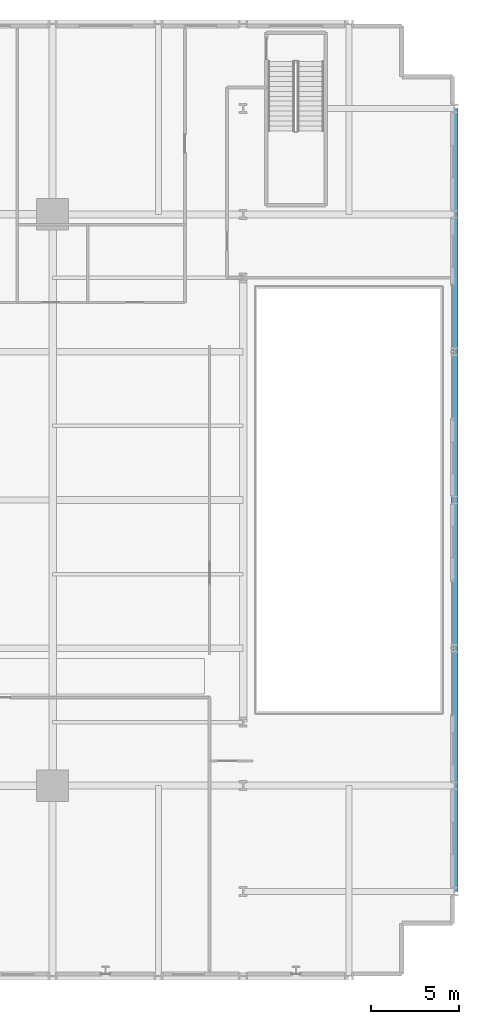
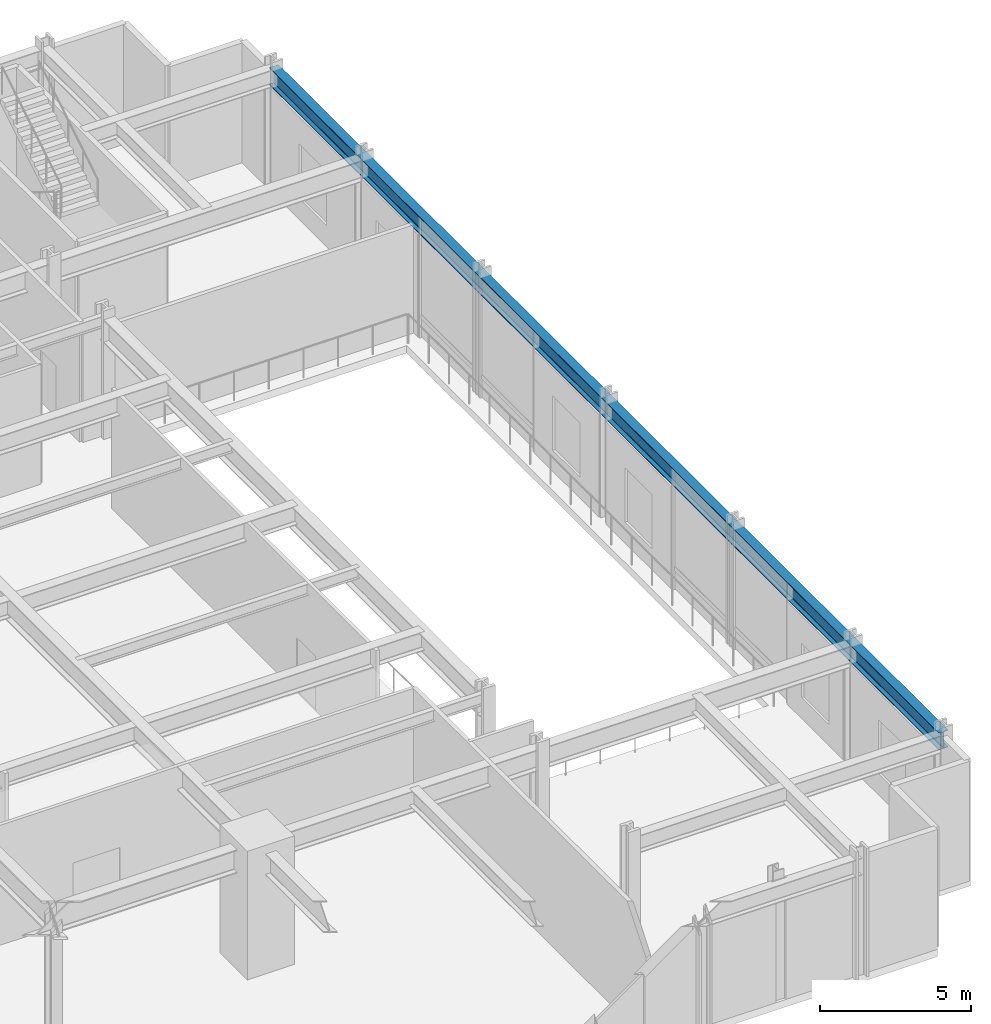
# One storey, part 8 of 20: 1 beam.
"""IFC4 building model written with IfcOpenShell, lengths in metres."""

import ifcopenshell
import ifcopenshell.guid

model = None  # the IFC model being written
_history = None  # IfcOwnerHistory: only IFC2X3 demands one
_inside = {}  # id of a spatial element -> (the spatial element, [elements in it])
_under = {}  # id of a project, library or spatial element -> (it, [spatial elements below it])
_declared = {}  # id of a project -> (the project, [libraries it declares])
_typed = {}  # id of a type object -> (the type object, [elements of that type])
_made_of = {}  # id of a material, layer set ... -> (it, [elements and type objects made of it])


def new_model(schema):
    """Start an empty IFC model of exactly this schema.

    Asked for "IFC4X3", IfcOpenShell would pick the latest addendum, in which some entities
    have other attributes; the version numbers below select the first issue.
    IFC2X3 requires an IfcOwnerHistory on every rooted entity: one is made here for all.
    """
    global model, _history
    if schema == "IFC4X3":
        model = ifcopenshell.file(schema_version=(4, 3, 0, 0))
    else:
        model = ifcopenshell.file(schema=schema)
    _inside.clear()
    _under.clear()
    _declared.clear()
    _typed.clear()
    _made_of.clear()
    _history = None
    if model.schema == "IFC2X3":
        org = make("IfcOrganization", Name="unknown")
        user = make(
            "IfcPersonAndOrganization",
            ThePerson=make("IfcPerson", FamilyName="unknown"),
            TheOrganization=org,
        )
        app = make(
            "IfcApplication",
            ApplicationDeveloper=org,
            Version="unknown",
            ApplicationFullName="unknown",
            ApplicationIdentifier="unknown",
        )
        _history = make(
            "IfcOwnerHistory",
            OwningUser=user,
            OwningApplication=app,
            ChangeAction="ADDED",
            CreationDate=0,
        )
    return model


def make(cls, **values):
    """One entity of the class cls with the attributes given. An attribute that is None is left unset."""
    return model.create_entity(
        cls, **{name: value for name, value in values.items() if value is not None}
    )


def rooted(cls, **values):
    """An entity with a GlobalId (a new one), such as an element, a storey or a relation."""
    return make(cls, GlobalId=ifcopenshell.guid.new(), OwnerHistory=_history, **values)


def si_unit(unit_type, name, prefix=None):
    """IfcSIUnit, for example si_unit("LENGTHUNIT", "METRE", prefix="MILLI")."""
    return make("IfcSIUnit", UnitType=unit_type, Prefix=prefix, Name=name)


def assignment(units):
    """IfcUnitAssignment: the units of a project."""
    return None if units is None else make("IfcUnitAssignment", Units=units)


def point(xyz):
    """IfcCartesianPoint."""
    return None if xyz is None else make("IfcCartesianPoint", Coordinates=xyz)


def direction(xyz):
    """IfcDirection."""
    return None if xyz is None else make("IfcDirection", DirectionRatios=xyz)


def frame(location, z_axis=None, x_axis=None):
    """IfcAxis2Placement3D, a coordinate frame: its origin and axes. An axis left out is left unset."""
    return make(
        "IfcAxis2Placement3D",
        Location=point(location),
        Axis=direction(z_axis),
        RefDirection=direction(x_axis),
    )


def frame_2d(location, x_axis=None):
    """IfcAxis2Placement2D, a coordinate frame in the plane: its origin and x axis."""
    return make(
        "IfcAxis2Placement2D", Location=point(location), RefDirection=direction(x_axis)
    )


def origin():
    """The frame at (0, 0, 0) with its axes left unset."""
    return frame((0.0, 0.0, 0.0))


def origin_2d():
    """The frame at (0, 0) in the plane with its x axis left unset."""
    return frame_2d((0.0, 0.0))


def place(relative_to, where):
    """IfcLocalPlacement: puts the frame where relative to a parent placement (None: the world)."""
    return make(
        "IfcLocalPlacement", PlacementRelTo=relative_to, RelativePlacement=where
    )


def context(
    kind, dimensions, precision=None, world=None, true_north=None, identifier=None
):
    """IfcGeometricRepresentationContext, for example the 3D "Model" context."""
    return make(
        "IfcGeometricRepresentationContext",
        ContextIdentifier=identifier,
        ContextType=kind,
        CoordinateSpaceDimension=dimensions,
        Precision=precision,
        WorldCoordinateSystem=world,
        TrueNorth=true_north,
    )


def subcontext(parent, identifier, kind, view, scale=None):
    """IfcGeometricRepresentationSubContext, for example "Body" below "Model"."""
    return make(
        "IfcGeometricRepresentationSubContext",
        ContextIdentifier=identifier,
        ContextType=kind,
        ParentContext=parent,
        TargetScale=scale,
        TargetView=view,
    )


def project(units=None, contexts=None):
    """IfcProject with its units and contexts."""
    return rooted(
        "IfcProject",
        Name="project",
        RepresentationContexts=contexts,
        UnitsInContext=assignment(units),
    )


def spatial(cls, under=None, at=None, **own):
    """A site, building, storey or space (cls), placed at a placement, below another one or the project."""
    s = rooted(cls, ObjectPlacement=at, **own)
    if under is not None:
        _under.setdefault(under.id(), (under, []))[1].append(s)
    return s


def profile(cls, at=None, kind="AREA", **sizes):
    """A parametric profile (cls). Its sizes go by their IFC names, for example OverallWidth=200.0."""
    return make(cls, ProfileType=kind, Position=at, **sizes)


def i_section(**sizes):
    """IfcIShapeProfileDef."""
    return profile("IfcIShapeProfileDef", **sizes)


def extrude(swept, where, along, depth):
    """IfcExtrudedAreaSolid: the profile swept, set in the frame where, extruded along a direction by depth."""
    return make(
        "IfcExtrudedAreaSolid",
        SweptArea=swept,
        Position=where,
        ExtrudedDirection=direction(along),
        Depth=depth,
    )


def shape(context_of_items, identifier, shape_type, items):
    """IfcShapeRepresentation: the items that make up one representation, for example the "Body"."""
    return make(
        "IfcShapeRepresentation",
        ContextOfItems=context_of_items,
        RepresentationIdentifier=identifier,
        RepresentationType=shape_type,
        Items=items,
    )


def material(Name=None, Category=None):
    """IfcMaterial."""
    return make("IfcMaterial", Name=Name, Category=Category)


def material_profile(
    of_material, cross_section, Name=None, Category=None, Priority=None
):
    """IfcMaterialProfile: a cross section and its material."""
    return make(
        "IfcMaterialProfile",
        Name=Name,
        Material=of_material,
        Profile=cross_section,
        Priority=Priority,
        Category=Category,
    )


def profile_set(profiles, Name=None, composite=None):
    """IfcMaterialProfileSet."""
    return make(
        "IfcMaterialProfileSet",
        Name=Name,
        MaterialProfiles=profiles,
        CompositeProfile=composite,
    )


def made_of(thing, what):
    """Note that an element or type object is made of a material, layer set ...; save() writes the relation."""
    if what is not None:
        _made_of.setdefault(what.id(), (what, []))[1].append(thing)
    return thing


def type_object(cls, material=None, **own):
    """A type object (cls), such as IfcWallType, which elements share."""
    return made_of(rooted(cls, **own), material)


def element(
    cls,
    number,
    at=None,
    inside=None,
    cuts=None,
    type_object=None,
    material=None,
    context=None,
    identifier="Body",
    shape_type=None,
    held_by="IfcProductDefinitionShape",
    body=None,
    shapes=None,
    **own,
):
    """One element of the class cls, such as IfcWall. Its Tag is "e" and its number.

    at: its placement. inside: the storey or other place that contains it. cuts: it is an
    opening in that element (IfcRelVoidsElement). A single representation is given by context,
    identifier, shape_type and body (its items); several are given by shapes. held_by: the class
    of the entity that holds the representations. save() writes the other relations.
    """
    e = rooted(cls, Tag="e%d" % number, ObjectPlacement=at, **own)
    if body is not None:
        shapes = [shape(context, identifier, shape_type, body)]
    if shapes is not None:
        e.Representation = make(held_by, Representations=shapes)
    if inside is not None:
        _inside.setdefault(inside.id(), (inside, []))[1].append(e)
    if cuts is not None:
        rooted(
            "IfcRelVoidsElement", RelatingBuildingElement=cuts, RelatedOpeningElement=e
        )
    if type_object is not None:
        _typed.setdefault(type_object.id(), (type_object, []))[1].append(e)
    return made_of(e, material)


def aggregate(whole, parts):
    """IfcRelAggregates: a whole, such as a stair, and the parts it consists of."""
    return rooted("IfcRelAggregates", RelatingObject=whole, RelatedObjects=parts)


def save(model, path):
    """Write the relations noted so far, then the file.

    IfcRelAggregates (storeys below a building ...), IfcRelContainedInSpatialStructure (elements
    in a storey), IfcRelDefinesByType, IfcRelAssociatesMaterial and IfcRelDeclares: one each for
    every whole, place, type object, material and project.
    """
    for whole, parts in _under.values():
        aggregate(whole, parts)
    for where, things in _inside.values():
        rooted(
            "IfcRelContainedInSpatialStructure",
            RelatedElements=things,
            RelatingStructure=where,
        )
    for kind, things in _typed.values():
        rooted("IfcRelDefinesByType", RelatedObjects=things, RelatingType=kind)
    for what, things in _made_of.values():
        rooted("IfcRelAssociatesMaterial", RelatedObjects=things, RelatingMaterial=what)
    for by, libraries in _declared.values():
        rooted("IfcRelDeclares", RelatingContext=by, RelatedDefinitions=libraries)
    model.write(path)


model = new_model("IFC4")

# Units and contexts
model_context = context("Model", 3, precision=1e-05, world=origin(), true_north=direction((0.0, 1.0)))
body_context = subcontext(model_context, "Body", "Model", "MODEL_VIEW")
ifc_project = project(units=[si_unit("LENGTHUNIT", "METRE"), si_unit("AREAUNIT", "SQUARE_METRE"), si_unit("VOLUMEUNIT", "CUBIC_METRE"), si_unit("PLANEANGLEUNIT", "RADIAN"), si_unit("MASSUNIT", "GRAM", prefix="KILO")], contexts=[model_context])

# Site, building, storey
site_placement = place(None, origin())
site = spatial("IfcSite", under=ifc_project, at=site_placement, CompositionType="ELEMENT")
building_placement = place(site_placement, origin())
building = spatial("IfcBuilding", under=site, at=building_placement, Name="Drelvath Grand Hotel", CompositionType="ELEMENT")
storey_placement = place(building_placement, frame((0.0, 0.0, 5.60009765625)))
storey = spatial("IfcBuildingStorey", under=building, at=storey_placement, Name="L01", CompositionType="ELEMENT", Elevation=5.60009765625)

# Beam
ifc_material = material(Name="Steel ASTM A992 Gr 50", Category="steel")
ifc_material_profile = material_profile(ifc_material, i_section(OverallWidth=0.354736328125, OverallDepth=0.695556640625, WebThickness=0.015380859375, FlangeThickness=0.025146484375, FilletRadius=0.02392578125, at=origin_2d()), Name="W27X146")
ifc_profile_set = profile_set([ifc_material_profile], Name="Steel ASTM A992 Gr 50")
beam_type = type_object("IfcBeamType", Name="Perimeter Spandrel Beam W27X146", PredefinedType="SPANDREL", material=ifc_profile_set)
beam_placement = place(storey_placement, frame((39.0, 4.800048828125, 4.502197265625), z_axis=(0.0, 1.0, 0.0), x_axis=(-1.0, 0.0, 0.0)))
element("IfcBeam", 1, at=beam_placement, inside=storey, type_object=beam_type, Name="L01 Podium Perimeter Spandrel SPE1", PredefinedType="SPANDREL", context=body_context, shape_type="SweptSolid", body=[
    extrude(i_section(OverallWidth=0.354736328125, OverallDepth=0.695556640625, WebThickness=0.015380859375, FlangeThickness=0.025146484375, FilletRadius=0.02392578125, at=origin_2d()), origin(), (0.0, 0.0, 1.0), 44.39990234375),
])

save(model, "model.ifc")
